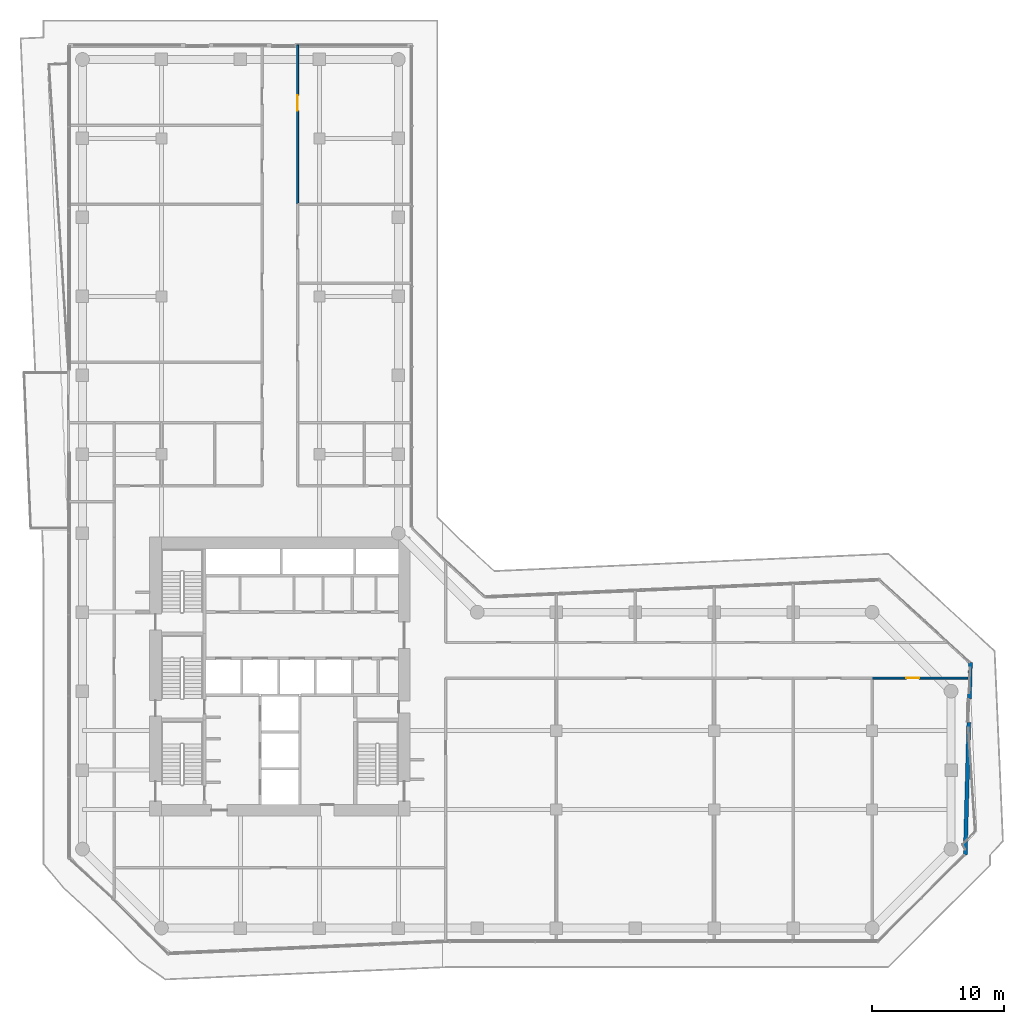
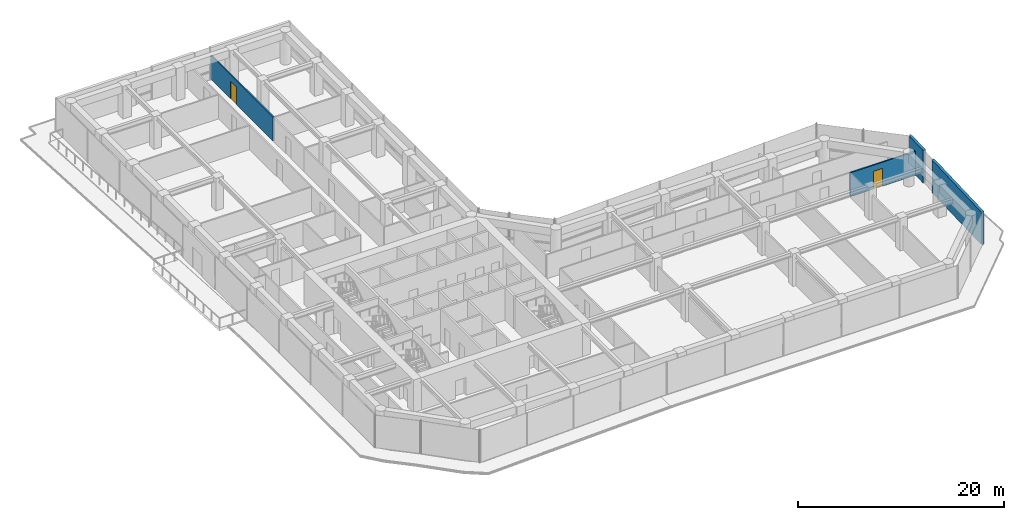
# One storey, part 26 of 29: 4 walls, 2 doors, 2 openings.
"""IFC4 building model written with IfcOpenShell, lengths in metres."""

from ifc_helpers import new_model, si_unit, direction, frame, frame_2d, origin, place, context, subcontext, project, spatial, rectangle, extrude, material, layer, layer_set, type_object, element, fill, save


model = new_model("IFC4")

# Units and contexts
model_context = context("Model", 3, precision=1e-05, world=origin(), true_north=direction((0.0, 1.0)))
body_context = subcontext(model_context, "Body", "Model", "MODEL_VIEW")
ifc_project = project(units=[si_unit("LENGTHUNIT", "METRE"), si_unit("AREAUNIT", "SQUARE_METRE"), si_unit("VOLUMEUNIT", "CUBIC_METRE"), si_unit("PLANEANGLEUNIT", "RADIAN"), si_unit("MASSUNIT", "GRAM", prefix="KILO")], contexts=[model_context])

# Site, building, storey
site_placement = place(None, origin())
site = spatial("IfcSite", under=ifc_project, at=site_placement, CompositionType="ELEMENT")
building_placement = place(site_placement, origin())
building = spatial("IfcBuilding", under=site, at=building_placement, Name="Welwitschia Terrace Campus", CompositionType="ELEMENT")
storey_placement = place(building_placement, frame((0.0, 0.0, 62.60009765625)))
storey = spatial("IfcBuildingStorey", under=building, at=storey_placement, Name="L14", CompositionType="ELEMENT", Elevation=62.60009765625)

# Wall, opening, door
ifc_material_1 = material(Name="Gypsum board on steel studs", Category="steel")
ifc_layer_1 = layer(ifc_material_1, 0.14990234375)
ifc_layer_set_1 = layer_set([ifc_layer_1], Name="Gypsum board on steel studs")
wall_type_1 = type_object("IfcWallType", Name="Corridor partition 150 EI 30", PredefinedType="PARTITIONING", material=ifc_layer_set_1)
wall_1_placement = place(storey_placement, frame((16.35009765625, 63.117919921875, 0.0), z_axis=(0.0, 0.0, 1.0), x_axis=(0.0, -1.0, 0.0)))
wall_1 = element("IfcWall", 1, at=wall_1_placement, inside=storey, type_object=wall_type_1, Name="Partition", PredefinedType="PARTITIONING", context=body_context, shape_type="SweptSolid", body=[
    extrude(rectangle(XDim=12.117919921875, YDim=0.14990234375, at=frame_2d((6.05908203125, 0.0))), origin(), (0.0, 0.0, 1.0), 2.829833984375),
])
opening_1_placement = place(wall_1_placement, frame((3.818115234375, 0.0, 0.0)))
opening_1 = element("IfcOpeningElement", 2, at=opening_1_placement, cuts=wall_1, Name="Opening DI12", PredefinedType="OPENING", context=body_context, shape_type="SweptSolid", body=[
    extrude(rectangle(XDim=1.199951171875, YDim=2.10009765625, at=frame_2d((0.60009765625, 1.050048828125))), frame((0.0, 0.0849609375, 0.0), z_axis=(0.0, -1.0, 0.0), x_axis=(1.0, 0.0, 0.0)), (0.0, 0.0, 1.0), 0.169921875),
])
ifc_material_2 = material(Name="Timber veneered door", Category="wood")
door_type_1 = type_object("IfcDoorType", Name="Interior door DI12", OperationType="NOTDEFINED", PredefinedType="DOOR", material=ifc_material_2)
door_1_placement = place(opening_1_placement, origin())
door_1 = element("IfcDoor", 3, at=door_1_placement, inside=storey, type_object=door_type_1, Name="Door L14 322", OperationType="SINGLE_SWING_LEFT", OverallHeight=2.10009765625, OverallWidth=1.199951171875, PredefinedType="DOOR", context=body_context, shape_type="SweptSolid", body=[
    extrude(rectangle(XDim=1.199951171875, YDim=2.10009765625, at=frame_2d((0.60009765625, 1.050048828125))), frame((0.0, 0.02490234375, 0.0), z_axis=(0.0, -1.0, 0.0), x_axis=(1.0, 0.0, 0.0)), (0.0, 0.0, 1.0), 0.050048828125),
])
fill(opening_1, door_1)

wall_2_placement = place(storey_placement, frame((67.47802734375, 15.0, 0.0), z_axis=(0.0, 0.0, 1.0), x_axis=(-1.0, 0.0, 0.0)))
wall_2 = element("IfcWall", 4, at=wall_2_placement, inside=storey, type_object=wall_type_1, Name="Partition", PredefinedType="PARTITIONING", context=body_context, shape_type="SweptSolid", body=[
    extrude(rectangle(XDim=7.47802734375, YDim=0.14990234375, at=frame_2d((3.739013671875, 0.0))), origin(), (0.0, 0.0, 1.0), 2.829833984375),
])
opening_2_placement = place(wall_2_placement, frame((3.8779296875, 0.0, 0.0)))
opening_2 = element("IfcOpeningElement", 5, at=opening_2_placement, cuts=wall_2, Name="Opening DI10", PredefinedType="OPENING", context=body_context, shape_type="SweptSolid", body=[
    extrude(rectangle(XDim=1.0, YDim=2.10009765625, at=frame_2d((0.5, 1.050048828125))), frame((0.0, 0.0849609375, 0.0), z_axis=(0.0, -1.0, 0.0), x_axis=(1.0, 0.0, 0.0)), (0.0, 0.0, 1.0), 0.169921875),
])
ifc_material_3 = material(Name="Timber veneered door", Category="wood")
door_type_2 = type_object("IfcDoorType", Name="Interior door DI10", OperationType="NOTDEFINED", PredefinedType="DOOR", material=ifc_material_3)
door_2_placement = place(opening_2_placement, origin())
door_2 = element("IfcDoor", 6, at=door_2_placement, inside=storey, type_object=door_type_2, Name="Door L14 334", OperationType="SINGLE_SWING_LEFT", OverallHeight=2.10009765625, OverallWidth=1.0, PredefinedType="DOOR", context=body_context, shape_type="SweptSolid", body=[
    extrude(rectangle(XDim=1.0, YDim=2.10009765625, at=frame_2d((0.5, 1.050048828125))), frame((0.0, 0.02490234375, 0.0), z_axis=(0.0, -1.0, 0.0), x_axis=(1.0, 0.0, 0.0)), (0.0, 0.0, 1.0), 0.050048828125),
])
fill(opening_2, door_2)

# Walls
ifc_material_4 = material(Name="Concrete C40/50", Category="concrete")
ifc_layer_2 = layer(ifc_material_4, 0.300048828125)
ifc_layer_set_2 = layer_set([ifc_layer_2], Name="Concrete C40/50")
wall_type_2 = type_object("IfcWallType", Name="Mass wall 300", PredefinedType="SOLIDWALL", material=ifc_layer_set_2)
wall_3_placement = place(storey_placement, frame((67.078369140625, 1.561279296875, 0.0), z_axis=(0.0, 0.0, 1.0), x_axis=(0.026789954372, 0.999641084762, 0.0)))
element("IfcWall", 7, at=wall_3_placement, inside=storey, type_object=wall_type_2, Name="Mass wall L14.5.0", PredefinedType="SOLIDWALL", context=body_context, shape_type="SweptSolid", body=[
    extrude(rectangle(XDim=10.070068359375, YDim=0.300048828125, at=frame_2d((5.03515625, 0.0))), origin(), (0.0, 0.0, 1.0), 3.849853515625),
])
wall_4_placement = place(storey_placement, frame((67.398193359375, 13.427001953125, 0.0), z_axis=(0.0, 0.0, 1.0), x_axis=(0.026746873039, 0.999642238395, 0.0)))
element("IfcWall", 8, at=wall_4_placement, inside=storey, type_object=wall_type_2, Name="Mass wall L14.5.1", PredefinedType="SOLIDWALL", context=body_context, shape_type="SweptSolid", body=[
    extrude(rectangle(XDim=2.756591796875, YDim=0.300048828125, at=frame_2d((1.37841796875, 0.0))), origin(), (0.0, 0.0, 1.0), 3.849853515625),
])

save(model, "model.ifc")
